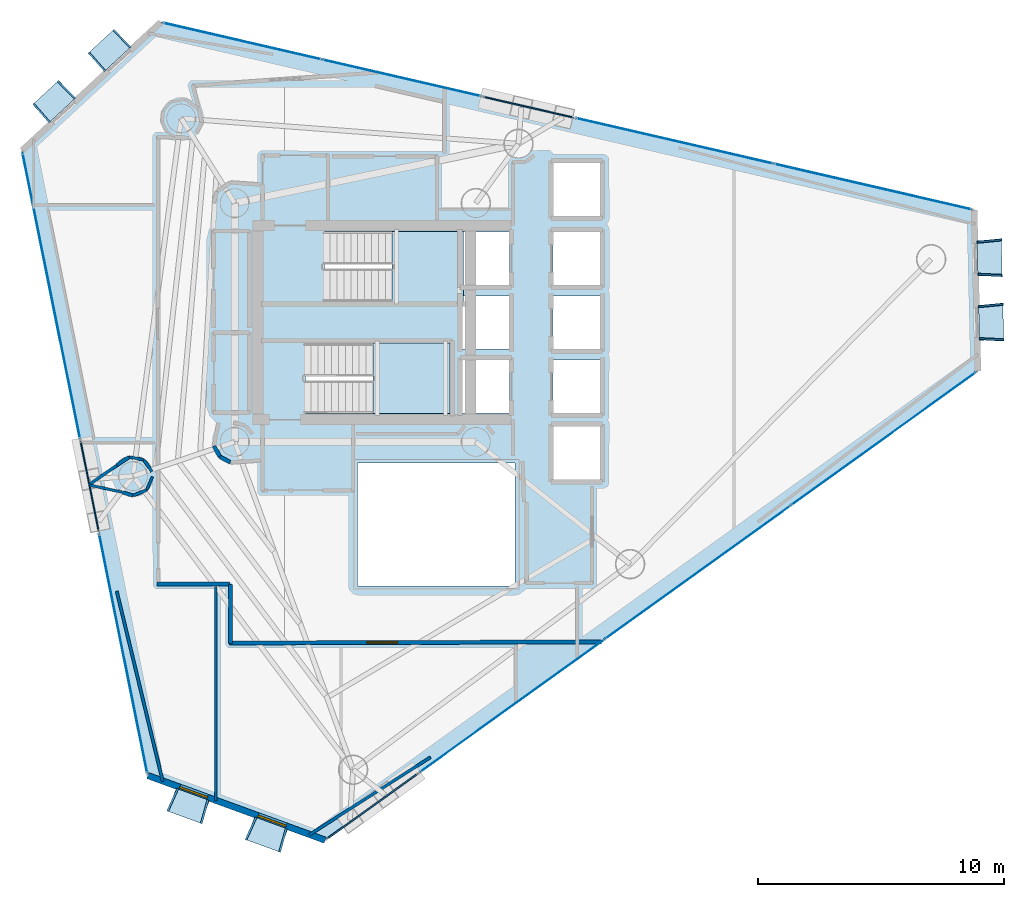
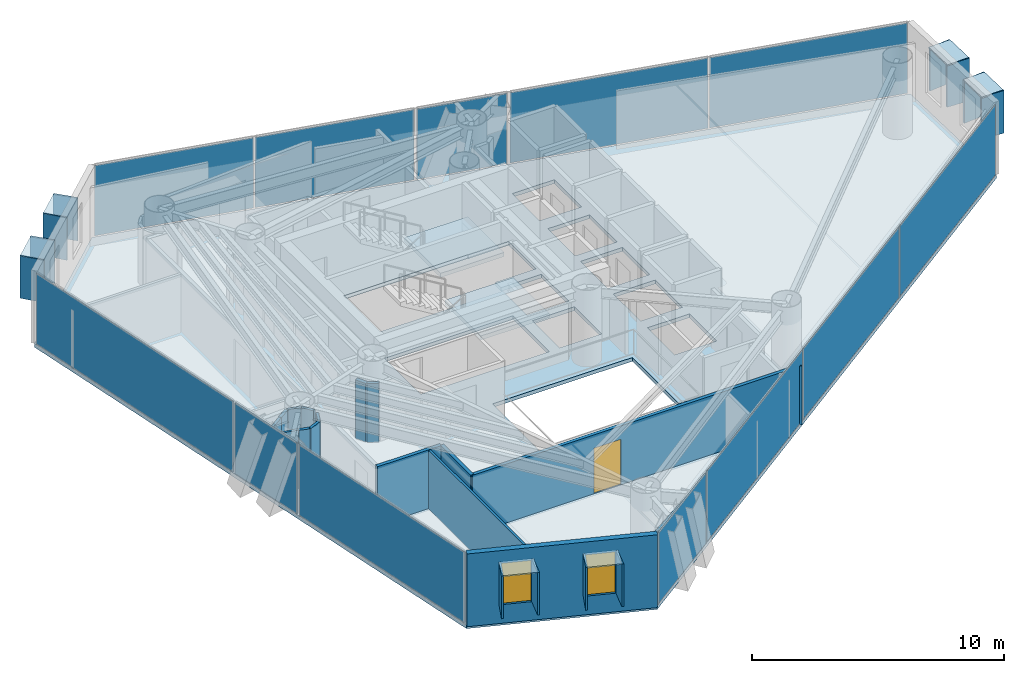
# One storey, part 16 of 22: 30 plates, 17 walls, 3 slabs, 2 windows, 1 door, 3 openings, 10 elements without a shape of their own.
"""IFC4 building model written with IfcOpenShell, lengths in metres."""

from ifc_helpers import new_model, si_unit, direction, frame, frame_2d, origin, origin_2d, place, context, subcontext, project, spatial, polyline, rectangle, outline, extrude, material, layer, layer_set, type_object, element, fill, aggregate, save


model = new_model("IFC4")

# Units and contexts
model_context = context("Model", 3, precision=1e-05, world=origin(), true_north=direction((0.0, 1.0)))
body_context = subcontext(model_context, "Body", "Model", "MODEL_VIEW")
ifc_project = project(units=[si_unit("LENGTHUNIT", "METRE"), si_unit("AREAUNIT", "SQUARE_METRE"), si_unit("VOLUMEUNIT", "CUBIC_METRE"), si_unit("PLANEANGLEUNIT", "RADIAN"), si_unit("MASSUNIT", "GRAM", prefix="KILO")], contexts=[model_context])

# Site, building, storey
site_placement = place(None, origin())
site = spatial("IfcSite", under=ifc_project, at=site_placement, CompositionType="ELEMENT")
building_placement = place(site_placement, origin())
building = spatial("IfcBuilding", under=site, at=building_placement, Name="Qianvela Tower", CompositionType="ELEMENT")
storey_placement = place(building_placement, frame((0.0, 0.0, 200.300048828125)))
storey = spatial("IfcBuildingStorey", under=building, at=storey_placement, Name="L51", CompositionType="ELEMENT", Elevation=200.300048828125)

# Curtain wall, plate
ifc_material_1 = material(Name="Anodised Architectural Aluminium and Insulated Spandrel Panel", Category="aluminium")
ifc_layer_1 = layer(ifc_material_1, 0.179931640625)
ifc_layer_set_1 = layer_set([ifc_layer_1], Name="Anodised Architectural Aluminium and Insulated Spandrel Panel")
curtain_wall_type_1 = type_object("IfcCurtainWallType", Name="CW-BRACEBAY", PredefinedType="USERDEFINED", material=ifc_layer_set_1)
curtain_wall_1_placement = place(storey_placement, origin())
curtain_wall_1 = element("IfcCurtainWall", 1, at=curtain_wall_1_placement, inside=storey, type_object=curtain_wall_type_1, Name="L51 CW-BRACEBAY Curtain Wall 02B", ObjectType="CURTAIN_WALL_SYSTEM", PredefinedType="USERDEFINED")
ifc_material_2 = material(Name="Insulated Aluminium Spandrel Panel with Mineral-Wool Backpan", Category="aluminium")
ifc_layer_2 = layer(ifc_material_2, 0.06005859375)
ifc_layer_set_2 = layer_set([ifc_layer_2], Name="Insulated Aluminium Spandrel Panel with Mineral-Wool Backpan")
plate_type_1 = type_object("IfcPlateType", Name="CW-BRACEBAY-PNL", PredefinedType="CURTAIN_PANEL", material=ifc_layer_set_2)
plate_1_placement = place(storey_placement, frame((40.53662109375, 37.44677734375, 0.06494140625), z_axis=(0.0, 0.0, 1.0), x_axis=(-0.974395125182, 0.22484247824, 0.0)))
plate_1 = element("IfcPlate", 2, at=plate_1_placement, type_object=plate_type_1, Name="CW-9 panel 1.1", PredefinedType="CURTAIN_PANEL", context=body_context, shape_type="SweptSolid", body=[
    extrude(rectangle(XDim=3.72998046875, YDim=0.06005859375, at=origin_2d()), origin(), (0.0, 0.0, 1.0), 3.389892578125),
])
aggregate(curtain_wall_1, [plate_1])

curtain_wall_2_placement = place(storey_placement, origin())
curtain_wall_2 = element("IfcCurtainWall", 3, at=curtain_wall_2_placement, inside=storey, type_object=curtain_wall_type_1, Name="L51 CW-BRACEBAY Curtain Wall 04B", ObjectType="CURTAIN_WALL_SYSTEM", PredefinedType="USERDEFINED")
plate_2_placement = place(storey_placement, frame((22.7109375, 22.0458984375, 0.06494140625), z_axis=(0.0, 0.0, 1.0), x_axis=(0.196985180883, -0.980406465968, 0.0)))
plate_2 = element("IfcPlate", 4, at=plate_2_placement, type_object=plate_type_1, Name="CW-9 panel 1.1", PredefinedType="CURTAIN_PANEL", context=body_context, shape_type="SweptSolid", body=[
    extrude(rectangle(XDim=3.719970703125, YDim=0.06005859375, at=origin_2d()), origin(), (0.0, 0.0, 1.0), 3.389892578125),
])
aggregate(curtain_wall_2, [plate_2])

curtain_wall_3_placement = place(storey_placement, origin())
curtain_wall_3 = element("IfcCurtainWall", 5, at=curtain_wall_3_placement, inside=storey, type_object=curtain_wall_type_1, Name="L51 CW-BRACEBAY Curtain Wall 06A", ObjectType="CURTAIN_WALL_SYSTEM", PredefinedType="USERDEFINED")
plate_3_placement = place(storey_placement, frame((34.205078125, 9.053466796875, 0.06494140625), z_axis=(0.0, 0.0, 1.0), x_axis=(0.81195549001, 0.583719352294, 0.0)))
plate_3 = element("IfcPlate", 6, at=plate_3_placement, type_object=plate_type_1, Name="CW-9 panel 1.1", PredefinedType="CURTAIN_PANEL", context=body_context, shape_type="SweptSolid", body=[
    extrude(rectangle(XDim=4.52001953125, YDim=0.06005859375, at=origin_2d()), origin(), (0.0, 0.0, 1.0), 3.389892578125),
])
aggregate(curtain_wall_3, [plate_3])

# Curtain wall, plates
ifc_material_3 = material(Name="Anodised Architectural Aluminium and Low-E Glass", Category="aluminium")
ifc_layer_3 = layer(ifc_material_3, 0.159912109375)
ifc_layer_set_3 = layer_set([ifc_layer_3], Name="Anodised Architectural Aluminium and Low-E Glass")
curtain_wall_type_2 = type_object("IfcCurtainWallType", Name="CW-COLIV-Z56", PredefinedType="USERDEFINED", material=ifc_layer_set_3)
curtain_wall_4_placement = place(storey_placement, origin())
curtain_wall_4 = element("IfcCurtainWall", 7, at=curtain_wall_4_placement, inside=storey, type_object=curtain_wall_type_2, Name="L51 CW-COLIV-Z56 Curtain Wall 02A", ObjectType="CURTAIN_WALL_SYSTEM", PredefinedType="USERDEFINED")
ifc_material_4 = material(Name="Double-Silver Low-E Insulated Glass", Category="glass")
ifc_layer_4 = layer(ifc_material_4, 0.028076171875)
ifc_layer_set_4 = layer_set([ifc_layer_4], Name="Double-Silver Low-E Insulated Glass")
plate_type_2 = type_object("IfcPlateType", Name="CW-COLIV-Z56-PNL", PredefinedType="CURTAIN_PANEL", material=ifc_layer_set_4)
plate_4_placement = place(storey_placement, frame((54.532470703125, 34.21728515625, 0.06005859375), z_axis=(0.0, 0.0, 1.0), x_axis=(-0.974397693189, 0.224831349031, 0.0)))
plate_4 = element("IfcPlate", 8, at=plate_4_placement, type_object=plate_type_2, Name="CW-5 panel 1.1", PredefinedType="CURTAIN_PANEL", context=body_context, shape_type="SweptSolid", body=[
    extrude(rectangle(XDim=8.202392578125, YDim=0.028076171875, at=origin_2d()), origin(), (0.0, 0.0, 1.0), 3.39990234375),
])
plate_5_placement = place(storey_placement, frame((46.4765625, 36.076171875, 0.06005859375), z_axis=(0.0, 0.0, 1.0), x_axis=(-0.974397693189, 0.224831349031, 0.0)))
plate_5 = element("IfcPlate", 9, at=plate_5_placement, type_object=plate_type_2, Name="CW-5 panel 2.1", PredefinedType="CURTAIN_PANEL", context=body_context, shape_type="SweptSolid", body=[
    extrude(rectangle(XDim=8.202392578125, YDim=0.028076171875, at=origin_2d()), origin(), (0.0, 0.0, 1.0), 3.39990234375),
])
aggregate(curtain_wall_4, [plate_4, plate_5])

curtain_wall_5_placement = place(storey_placement, origin())
curtain_wall_5 = element("IfcCurtainWall", 10, at=curtain_wall_5_placement, inside=storey, type_object=curtain_wall_type_2, Name="L51 CW-COLIV-Z56 Curtain Wall 02C", ObjectType="CURTAIN_WALL_SYSTEM", PredefinedType="USERDEFINED")
plate_6_placement = place(storey_placement, frame((35.388427734375, 38.634765625, 0.06005859375), z_axis=(0.0, 0.0, 1.0), x_axis=(-0.974397887425, 0.224830507229, 0.0)))
plate_6 = element("IfcPlate", 11, at=plate_6_placement, type_object=plate_type_2, Name="CW-5 panel 1.1", PredefinedType="CURTAIN_PANEL", context=body_context, shape_type="SweptSolid", body=[
    extrude(rectangle(XDim=6.576416015625, YDim=0.028076171875, at=origin_2d()), origin(), (0.0, 0.0, 1.0), 3.39990234375),
])
plate_7_placement = place(storey_placement, frame((28.917236328125, 40.1279296875, 0.06005859375), z_axis=(0.0, 0.0, 1.0), x_axis=(-0.974397887425, 0.224830507229, 0.0)))
plate_7 = element("IfcPlate", 12, at=plate_7_placement, type_object=plate_type_2, Name="CW-5 panel 2.1", PredefinedType="CURTAIN_PANEL", context=body_context, shape_type="SweptSolid", body=[
    extrude(rectangle(XDim=6.576416015625, YDim=0.028076171875, at=origin_2d()), origin(), (0.0, 0.0, 1.0), 3.39990234375),
])
aggregate(curtain_wall_5, [plate_6, plate_7])

# Curtain wall, plate
curtain_wall_6_placement = place(storey_placement, origin())
curtain_wall_6 = element("IfcCurtainWall", 13, at=curtain_wall_6_placement, inside=storey, type_object=curtain_wall_type_2, Name="L51 CW-COLIV-Z56 Curtain Wall 04A", ObjectType="CURTAIN_WALL_SYSTEM", PredefinedType="USERDEFINED")
plate_8_placement = place(storey_placement, frame((21.15576171875, 29.786376953125, 0.06005859375), z_axis=(0.0, 0.0, 1.0), x_axis=(0.196976127446, -0.980408284959, 0.0)))
plate_8 = element("IfcPlate", 14, at=plate_8_placement, type_object=plate_type_2, Name="CW-5 panel 1.1", PredefinedType="CURTAIN_PANEL", context=body_context, shape_type="SweptSolid", body=[
    extrude(rectangle(XDim=11.81005859375, YDim=0.028076171875, at=origin_2d()), origin(), (0.0, 0.0, 1.0), 3.39990234375),
])
aggregate(curtain_wall_6, [plate_8])

curtain_wall_7_placement = place(storey_placement, origin())
curtain_wall_7 = element("IfcCurtainWall", 15, at=curtain_wall_7_placement, inside=storey, type_object=curtain_wall_type_2, Name="L51 CW-COLIV-Z56 Curtain Wall 04C", ObjectType="CURTAIN_WALL_SYSTEM", PredefinedType="USERDEFINED")
plate_9_placement = place(storey_placement, frame((24.076416015625, 15.250244140625, 0.06005859375), z_axis=(0.0, 0.0, 1.0), x_axis=(0.196982232858, -0.980407058287, 0.0)))
plate_9 = element("IfcPlate", 16, at=plate_9_placement, type_object=plate_type_2, Name="CW-5 panel 1.1", PredefinedType="CURTAIN_PANEL", context=body_context, shape_type="SweptSolid", body=[
    extrude(rectangle(XDim=9.883056640625, YDim=0.028076171875, at=origin_2d()), origin(), (0.0, 0.0, 1.0), 3.39990234375),
])
aggregate(curtain_wall_7, [plate_9])

# Curtain wall, plates
curtain_wall_8_placement = place(storey_placement, origin())
curtain_wall_8 = element("IfcCurtainWall", 17, at=curtain_wall_8_placement, inside=storey, type_object=curtain_wall_type_2, Name="L51 CW-COLIV-Z56 Curtain Wall 06B", ObjectType="CURTAIN_WALL_SYSTEM", PredefinedType="USERDEFINED")
plate_10_placement = place(storey_placement, frame((39.882568359375, 13.135009765625, 0.06005859375), z_axis=(0.0, 0.0, 1.0), x_axis=(0.811952110369, 0.583724053357, 0.0)))
plate_10 = element("IfcPlate", 18, at=plate_10_placement, type_object=plate_type_2, Name="CW-5 panel 1.1", PredefinedType="CURTAIN_PANEL", context=body_context, shape_type="SweptSolid", body=[
    extrude(rectangle(XDim=9.205078125, YDim=0.028076171875, at=origin_2d()), origin(), (0.0, 0.0, 1.0), 3.39990234375),
])
plate_11_placement = place(storey_placement, frame((47.4228515625, 18.555908203125, 0.06005859375), z_axis=(0.0, 0.0, 1.0), x_axis=(0.811952110369, 0.583724053357, 0.0)))
plate_11 = element("IfcPlate", 19, at=plate_11_placement, type_object=plate_type_2, Name="CW-5 panel 2.1", PredefinedType="CURTAIN_PANEL", context=body_context, shape_type="SweptSolid", body=[
    extrude(rectangle(XDim=9.23779296875, YDim=0.028076171875, at=origin_2d()), origin(), (0.0, 0.0, 1.0), 3.39990234375),
])
plate_12_placement = place(storey_placement, frame((54.962890625, 23.9765625, 0.06005859375), z_axis=(0.0, 0.0, 1.0), x_axis=(0.811952110369, 0.583724053357, 0.0)))
plate_12 = element("IfcPlate", 20, at=plate_12_placement, type_object=plate_type_2, Name="CW-5 panel 3.1", PredefinedType="CURTAIN_PANEL", context=body_context, shape_type="SweptSolid", body=[
    extrude(rectangle(XDim=9.205078125, YDim=0.028076171875, at=origin_2d()), origin(), (0.0, 0.0, 1.0), 3.39990234375),
])
aggregate(curtain_wall_8, [plate_10, plate_11, plate_12])

# Slab
ifc_material_5 = material(Name="Concrete C40", Category="concrete")
ifc_layer_5 = layer(ifc_material_5, 0.179931640625)
ifc_layer_set_5 = layer_set([ifc_layer_5], Name="Concrete C40")
slab_type_1 = type_object("IfcSlabType", Name="SL-FLOOR-180", PredefinedType="FLOOR", material=ifc_layer_set_5)
slab_1_placement = place(storey_placement, frame((0.0, 0.0, -0.179931640625)))
element("IfcSlab", 21, at=slab_1_placement, inside=storey, type_object=slab_type_1, Name="L51 Composite Structural Floor Slab", PredefinedType="FLOOR", context=body_context, shape_type="SweptSolid", body=[
    extrude(outline(polyline([(58.79345703125, 26.730224609375), (58.640869140625, 33.26953125), (25.60107421875, 40.89306640625), (19.969970703125, 35.6884765625), (25.072265625, 10.292724609375), (32.276611328125, 7.6669921875), (58.79345703125, 26.730224609375)]), holes=[polyline([(40.0, 23.0), (33.60009765625, 23.0), (33.60009765625, 18.0), (40.0, 18.0), (40.0, 23.0)]), polyline([(39.760009765625, 27.179931640625), (37.840087890625, 27.179931640625), (37.840087890625, 25.02001953125), (39.760009765625, 25.02001953125), (39.760009765625, 27.179931640625)]), polyline([(37.35009765625, 27.860107421875), (31.469970703125, 27.860107421875), (31.469970703125, 25.0), (37.35009765625, 25.0), (37.35009765625, 27.860107421875)]), polyline([(37.840087890625, 27.6201171875), (39.760009765625, 27.6201171875), (39.760009765625, 29.780029296875), (37.89990234375, 29.780029296875), (37.89990234375, 30.219970703125), (39.760009765625, 30.219970703125), (39.760009765625, 32.3798828125), (37.89990234375, 32.3798828125), (37.89990234375, 32.39990234375), (32.25, 32.39990234375), (32.25, 29.5400390625), (37.840087890625, 29.5400390625), (37.840087890625, 27.6201171875)]), polyline([(43.4599609375, 22.320068359375), (43.4599609375, 24.47998046875), (41.5400390625, 24.47998046875), (41.5400390625, 22.320068359375), (43.4599609375, 22.320068359375)]), polyline([(43.4599609375, 25.02001953125), (43.4599609375, 27.179931640625), (41.5400390625, 27.179931640625), (41.5400390625, 25.02001953125), (43.4599609375, 25.02001953125)]), polyline([(43.4599609375, 29.780029296875), (41.5400390625, 29.780029296875), (41.5400390625, 27.6201171875), (43.4599609375, 27.6201171875), (43.4599609375, 29.780029296875)]), polyline([(43.4599609375, 30.219970703125), (43.4599609375, 32.3798828125), (41.5400390625, 32.3798828125), (41.5400390625, 30.219970703125), (43.4599609375, 30.219970703125)]), polyline([(43.4599609375, 33.02001953125), (43.4599609375, 35.179931640625), (41.5400390625, 35.179931640625), (41.5400390625, 33.02001953125), (43.4599609375, 33.02001953125)])]), origin(), (0.0, 0.0, 1.0), 0.179931640625),
])

# Stair, slab
ifc_material_6 = material(Name="Concrete C40", Category="concrete")
stair_type = type_object("IfcStairType", Name="ST-DOGLEG-1350-R168-N22", PredefinedType="HALF_TURN_STAIR", material=ifc_material_6)
stair_1_placement = place(storey_placement, origin())
stair_1 = element("IfcStair", 22, at=stair_1_placement, inside=storey, type_object=stair_type, Name="L51 Smoke-Proof Core Stair ST-1", PredefinedType="HALF_TURN_STAIR")
ifc_material_7 = material(Name="Concrete C40", Category="concrete")
ifc_layer_6 = layer(ifc_material_7, 0.199951171875)
ifc_layer_set_6 = layer_set([ifc_layer_6], Name="Concrete C40")
slab_type_2 = type_object("IfcSlabType", Name="SL-STAIR-LANDING-200", PredefinedType="LANDING", material=ifc_layer_set_6)
slab_2_placement = place(storey_placement, frame((0.0, 0.0, 1.64990234375)))
slab_2 = element("IfcSlab", 23, at=slab_2_placement, type_object=slab_type_2, Name="ST-1 landing 1", PredefinedType="LANDING", context=body_context, shape_type="SweptSolid", body=[
    extrude(outline(polyline([(35.0, 29.5400390625), (37.89990234375, 29.5400390625), (37.89990234375, 32.39990234375), (35.0, 32.39990234375), (35.0, 29.5400390625)])), origin(), (0.0, 0.0, 1.0), 0.199951171875),
])
aggregate(stair_1, [slab_2])

stair_2_placement = place(storey_placement, origin())
stair_2 = element("IfcStair", 24, at=stair_2_placement, inside=storey, type_object=stair_type, Name="L51 Smoke-Proof Core Stair ST-2", PredefinedType="HALF_TURN_STAIR")
slab_3_placement = place(storey_placement, frame((0.0, 0.0, 1.64990234375)))
slab_3 = element("IfcSlab", 25, at=slab_3_placement, type_object=slab_type_2, Name="ST-2 landing 1", PredefinedType="LANDING", context=body_context, shape_type="SweptSolid", body=[
    extrude(outline(polyline([(34.219970703125, 25.0), (37.35009765625, 25.0), (37.35009765625, 27.860107421875), (34.219970703125, 27.860107421875), (34.219970703125, 25.0)])), origin(), (0.0, 0.0, 1.0), 0.199951171875),
])
aggregate(stair_2, [slab_3])

# Plates
ifc_material_8 = material(Name="Vitrified Architectural Terracotta Panel", Category="masonry")
ifc_layer_7 = layer(ifc_material_8, 0.06494140625)
ifc_layer_set_7 = layer_set([ifc_layer_7], Name="Vitrified Architectural Terracotta Panel")
plate_type_3 = type_object("IfcPlateType", Name="TERRACOTTA-SUNSHADE-HOOD-FOLD-B", PredefinedType="USERDEFINED", material=ifc_layer_set_7)
for number, where, z_axis, x_axis, name in (
    (26, (23.5146484375, 39.76123046875, 2.909912109375), (0.0, 0.0, 1.0), (-0.734369896878, -0.678749478497, 0.0), "L51 Terracotta Sunshade Hood FOLD-B"),
    (27, (21.26220703125, 37.679443359375, 2.909912109375), (0.0, 0.0, 1.0), (-0.734369896878, -0.678749478497, 0.0), "L51 Terracotta Sunshade Hood FOLD-B"),
):
    element("IfcPlate", number, at=place(storey_placement, frame(where, z_axis=z_axis, x_axis=x_axis)), inside=storey, type_object=plate_type_3, Name=name, ObjectType="SUNSHADE", PredefinedType="USERDEFINED", context=body_context, shape_type="SweptSolid", body=[
        extrude(rectangle(XDim=1.43994140625, YDim=0.989990234375, at=origin_2d()), origin(), (0.0, 0.0, 1.0), 0.06005859375),
    ])
ifc_material_9 = material(Name="Vitrified Architectural Terracotta Panel", Category="masonry")
ifc_layer_8 = layer(ifc_material_9, 0.074951171875)
ifc_layer_set_8 = layer_set([ifc_layer_8], Name="Vitrified Architectural Terracotta Panel")
plate_type_4 = type_object("IfcPlateType", Name="TERRACOTTA-SUNSHADE-HOOD-FOLD-D", PredefinedType="USERDEFINED", material=ifc_layer_set_8)
for number, where, z_axis, x_axis, name in (
    (28, (59.33251953125, 28.705810546875, 2.909912109375), (0.0, 0.0, 1.0), (-0.023329444697, 0.999727831467, 0.0), "L51 Terracotta Sunshade Hood FOLD-D"),
    (29, (59.271484375, 31.3212890625, 2.909912109375), (0.0, 0.0, 1.0), (-0.023329444697, 0.999727831467, 0.0), "L51 Terracotta Sunshade Hood FOLD-D"),
    (30, (26.732666015625, 9.06494140625, 2.909912109375), (0.0, 0.0, 1.0), (0.939539710927, -0.342439967865, 0.0), "L51 Terracotta Sunshade Hood FOLD-D"),
    (31, (29.9150390625, 7.905029296875, 2.909912109375), (0.0, 0.0, 1.0), (0.939539710927, -0.342439967865, 0.0), "L51 Terracotta Sunshade Hood FOLD-D"),
):
    element("IfcPlate", number, at=place(storey_placement, frame(where, z_axis=z_axis, x_axis=x_axis)), inside=storey, type_object=plate_type_4, Name=name, ObjectType="SUNSHADE", PredefinedType="USERDEFINED", context=body_context, shape_type="SweptSolid", body=[
        extrude(rectangle(XDim=1.43994140625, YDim=0.989990234375, at=origin_2d()), origin(), (0.0, 0.0, 1.0), 0.06005859375),
    ])
ifc_material_10 = material(Name="Vitrified Architectural Terracotta Side Fin Panel", Category="masonry")
ifc_layer_9 = layer(ifc_material_10, 0.070068359375)
ifc_layer_set_9 = layer_set([ifc_layer_9], Name="Vitrified Architectural Terracotta Side Fin Panel")
plate_type_5 = type_object("IfcPlateType", Name="TERRACOTTA-SUNSHADE-STRUT-FOLD-B", PredefinedType="USERDEFINED", material=ifc_layer_set_9)
for number, where, z_axis, x_axis, name in (
    (32, (24.021484375, 40.2294921875, 0.89990234375), (0.0, 0.0, 1.0), (-0.713299380114, -0.700859468317, 0.0), "L51 Terracotta Sunshade Side Fin HL FOLD-B"),
    (33, (23.008056640625, 39.29296875, 0.89990234375), (0.0, 0.0, 1.0), (-0.754755379944, -0.656006338723, 0.0), "L51 Terracotta Sunshade Side Fin HR FOLD-B"),
    (34, (21.76904296875, 38.147705078125, 0.89990234375), (0.0, 0.0, 1.0), (-0.713299380114, -0.700859468317, 0.0), "L51 Terracotta Sunshade Side Fin HL FOLD-B"),
    (35, (20.755615234375, 37.2109375, 0.89990234375), (0.0, 0.0, 1.0), (-0.754755379944, -0.656006338723, 0.0), "L51 Terracotta Sunshade Side Fin HR FOLD-B"),
):
    element("IfcPlate", number, at=place(storey_placement, frame(where, z_axis=z_axis, x_axis=x_axis)), inside=storey, type_object=plate_type_5, Name=name, ObjectType="SUNSHADE", PredefinedType="USERDEFINED", context=body_context, shape_type="SweptSolid", body=[
        extrude(rectangle(XDim=0.070068359375, YDim=1.010009765625, at=origin_2d()), origin(), (0.0, 0.0, 1.0), 2.06005859375),
    ])
ifc_material_11 = material(Name="Vitrified Architectural Terracotta Side Fin Panel", Category="masonry")
ifc_layer_10 = layer(ifc_material_11, 0.080078125)
ifc_layer_set_10 = layer_set([ifc_layer_10], Name="Vitrified Architectural Terracotta Side Fin Panel")
plate_type_6 = type_object("IfcPlateType", Name="TERRACOTTA-SUNSHADE-STRUT-FOLD-D", PredefinedType="USERDEFINED", material=ifc_layer_set_10)
for number, where, z_axis, x_axis, name in (
    (36, (59.3486328125, 28.015869140625, 0.89990234375), (0.0, 0.0, 1.0), (0.050823027154, 0.998707674903, 0.0), "L51 Terracotta Sunshade Side Fin HL FOLD-D"),
    (37, (59.31640625, 29.3955078125, 0.89990234375), (0.0, 0.0, 1.0), (-0.097353613238, 0.995249855056, 0.0), "L51 Terracotta Sunshade Side Fin HR FOLD-D"),
    (38, (59.28759765625, 30.631591796875, 0.89990234375), (0.0, 0.0, 1.0), (0.050823027154, 0.998707674903, 0.0), "L51 Terracotta Sunshade Side Fin HL FOLD-D"),
    (39, (59.25537109375, 32.01123046875, 0.89990234375), (0.0, 0.0, 1.0), (-0.097353613238, 0.995249855056, 0.0), "L51 Terracotta Sunshade Side Fin HR FOLD-D"),
    (40, (26.084228515625, 9.30126953125, 0.89990234375), (0.0, 0.0, 1.0), (0.911578441629, -0.411126190794, 0.0), "L51 Terracotta Sunshade Side Fin HL FOLD-D"),
    (41, (27.380859375, 8.82861328125, 0.89990234375), (0.0, 0.0, 1.0), (0.962333859631, -0.271870451884, 0.0), "L51 Terracotta Sunshade Side Fin HR FOLD-D"),
    (42, (29.2666015625, 8.141357421875, 0.89990234375), (0.0, 0.0, 1.0), (0.911578441629, -0.411126190794, 0.0), "L51 Terracotta Sunshade Side Fin HL FOLD-D"),
    (43, (30.563232421875, 7.668701171875, 0.89990234375), (0.0, 0.0, 1.0), (0.962333859631, -0.271870451884, 0.0), "L51 Terracotta Sunshade Side Fin HR FOLD-D"),
):
    element("IfcPlate", number, at=place(storey_placement, frame(where, z_axis=z_axis, x_axis=x_axis)), inside=storey, type_object=plate_type_6, Name=name, ObjectType="SUNSHADE", PredefinedType="USERDEFINED", context=body_context, shape_type="SweptSolid", body=[
        extrude(rectangle(XDim=0.080078125, YDim=1.010009765625, at=origin_2d()), origin(), (0.0, 0.0, 1.0), 2.06005859375),
    ])

# Wall, openings, windows
ifc_material_12 = material(Name="Terracotta Cladding on Concrete C40", Category="masonry")
ifc_layer_11 = layer(ifc_material_12, 0.260009765625)
ifc_layer_set_11 = layer_set([ifc_layer_11], Name="Terracotta Cladding on Concrete C40")
wall_type_1 = type_object("IfcWallType", Name="TERRACOTTA-WALL-260", PredefinedType="SOLIDWALL", material=ifc_layer_set_11)
wall_1_placement = place(storey_placement, frame((25.072265625, 10.292724609375, 0.0), z_axis=(0.0, 0.0, 1.0), x_axis=(0.939543106306, -0.342430651948, 0.0)))
wall_1 = element("IfcWall", 44, at=wall_1_placement, inside=storey, type_object=wall_type_1, Name="L51 Terracotta Chamfer Facet Wall 5", PredefinedType="SOLIDWALL", context=body_context, shape_type="SweptSolid", body=[
    extrude(rectangle(XDim=7.66796875, YDim=0.260009765625, at=frame_2d((3.833984375, 0.0))), origin(), (0.0, 0.0, 1.0), 3.52001953125),
])
opening_1_placement = place(wall_1_placement, frame((1.38037109375, 0.0, 0.89990234375)))
opening_1 = element("IfcOpeningElement", 45, at=opening_1_placement, cuts=wall_1, Name="Opening W-03", PredefinedType="OPENING", context=body_context, shape_type="SweptSolid", body=[
    extrude(rectangle(XDim=1.199951171875, YDim=2.0, at=frame_2d((0.60009765625, 1.0))), frame((0.0, 0.139892578125, 0.0), z_axis=(0.0, -1.0, 0.0), x_axis=(1.0, 0.0, 0.0)), (0.0, 0.0, 1.0), 0.280029296875),
])
opening_2_placement = place(wall_1_placement, frame((4.767578125, 0.0, 0.89990234375)))
opening_2 = element("IfcOpeningElement", 46, at=opening_2_placement, cuts=wall_1, Name="Opening W-03", PredefinedType="OPENING", context=body_context, shape_type="SweptSolid", body=[
    extrude(rectangle(XDim=1.199951171875, YDim=2.0, at=frame_2d((0.60009765625, 1.0))), frame((0.0, 0.139892578125, 0.0), z_axis=(0.0, -1.0, 0.0), x_axis=(1.0, 0.0, 0.0)), (0.0, 0.0, 1.0), 0.280029296875),
])
ifc_material_13 = material(Name="Thermally Broken Aluminium and Low-E Glass", Category="aluminium")
window_type = type_object("IfcWindowType", Name="WIN-TC-1200x2000", PartitioningType="SINGLE_PANEL", PredefinedType="WINDOW", material=ifc_material_13)
window_1_placement = place(opening_1_placement, origin())
window_1 = element("IfcWindow", 47, at=window_1_placement, inside=storey, type_object=window_type, Name="L51 Chamfer Facet Window 5.1", OverallHeight=2.0, OverallWidth=1.199951171875, PartitioningType="SINGLE_PANEL", PredefinedType="WINDOW", context=body_context, shape_type="SweptSolid", body=[
    extrude(rectangle(XDim=1.199951171875, YDim=2.0, at=frame_2d((0.60009765625, 1.0))), frame((0.0, 0.030029296875, 0.0), z_axis=(0.0, -1.0, 0.0), x_axis=(1.0, 0.0, 0.0)), (0.0, 0.0, 1.0), 0.06005859375),
])
fill(opening_1, window_1)
window_2_placement = place(opening_2_placement, origin())
window_2 = element("IfcWindow", 48, at=window_2_placement, inside=storey, type_object=window_type, Name="L51 Chamfer Facet Window 5.2", OverallHeight=2.0, OverallWidth=1.199951171875, PartitioningType="SINGLE_PANEL", PredefinedType="WINDOW", context=body_context, shape_type="SweptSolid", body=[
    extrude(rectangle(XDim=1.199951171875, YDim=2.0, at=frame_2d((0.60009765625, 1.0))), frame((0.0, 0.030029296875, 0.0), z_axis=(0.0, -1.0, 0.0), x_axis=(1.0, 0.0, 0.0)), (0.0, 0.0, 1.0), 0.06005859375),
])
fill(opening_2, window_2)

# Walls
ifc_material_14 = material(Name="Fire-Rated Gypsum and Concrete Block", Category="concrete")
ifc_layer_12 = layer(ifc_material_14, 0.159912109375)
ifc_layer_set_12 = layer_set([ifc_layer_12], Name="Fire-Rated Gypsum and Concrete Block")
wall_type_2 = type_object("IfcWallType", Name="WT-CORR-160", PredefinedType="PARTITIONING", material=ifc_layer_set_12)
for number, where, z_axis, x_axis, name in (
    (49, (27.768310546875, 23.67529296875, 0.0), (0.0, 0.0, 1.0), (0.471865548338, -0.881670519123, 0.0), "L51 Partition 63"),
    (50, (28.005615234375, 23.242919921875, 0.0), (0.0, 0.0, 1.0), (0.881670519123, -0.471865548338, 0.0), "L51 Partition 64"),
):
    element("IfcWall", number, at=place(storey_placement, frame(where, z_axis=z_axis, x_axis=x_axis)), inside=storey, type_object=wall_type_2, Name=name, PredefinedType="PARTITIONING", context=body_context, shape_type="SweptSolid", body=[
        extrude(rectangle(XDim=0.47607421875, YDim=0.159912109375, at=frame_2d((0.238037109375, 0.0))), origin(), (0.0, 0.0, 1.0), 2.83984375),
    ])

# Wall, opening, door
wall_2_placement = place(storey_placement, frame((43.5078125, 15.72705078125, 0.0), z_axis=(0.0, 0.0, 1.0), x_axis=(-0.999995335964, -0.003054185684, 0.0)))
wall_2 = element("IfcWall", 51, at=wall_2_placement, inside=storey, type_object=wall_type_2, Name="L51 Partition 70", PredefinedType="PARTITIONING", context=body_context, shape_type="SweptSolid", body=[
    extrude(rectangle(XDim=15.10791015625, YDim=0.159912109375, at=frame_2d((7.553955078125, 0.0))), origin(), (0.0, 0.0, 1.0), 2.83984375),
])
opening_3_placement = place(wall_2_placement, frame((8.28662109375, 0.0, 0.0)))
opening_3 = element("IfcOpeningElement", 52, at=opening_3_placement, cuts=wall_2, Name="Opening D-LG1", PredefinedType="OPENING", context=body_context, shape_type="SweptSolid", body=[
    extrude(rectangle(XDim=1.25, YDim=2.199951171875, at=frame_2d((0.625, 1.10009765625))), frame((0.0, 0.08984375, 0.0), z_axis=(0.0, -1.0, 0.0), x_axis=(1.0, 0.0, 0.0)), (0.0, 0.0, 1.0), 0.179931640625),
])
ifc_material_15 = material(Name="Anodised Aluminium Acoustic Glass Door", Category="aluminium")
door_type = type_object("IfcDoorType", Name="DT-LOUNGE-1250", OperationType="NOTDEFINED", PredefinedType="DOOR", material=ifc_material_15)
door_placement = place(opening_3_placement, origin())
door = element("IfcDoor", 53, at=door_placement, inside=storey, type_object=door_type, Name="L51 Door Panoramic Study Lounge L51-05 to L51 Floor Corridor", OperationType="SINGLE_SWING_RIGHT", OverallHeight=2.199951171875, OverallWidth=1.25, PredefinedType="DOOR", context=body_context, shape_type="SweptSolid", body=[
    extrude(rectangle(XDim=1.25, YDim=2.199951171875, at=frame_2d((0.625, 1.10009765625))), frame((0.0, 0.02490234375, 0.0), z_axis=(0.0, -1.0, 0.0), x_axis=(1.0, 0.0, 0.0)), (0.0, 0.0, 1.0), 0.050048828125),
])
fill(opening_3, door)

# Walls
wall_3_placement = place(storey_placement, frame((28.430908203125, 15.64990234375, 0.0), z_axis=(0.0, 0.0, 1.0), x_axis=(0.0, 1.0, 0.0)))
element("IfcWall", 54, at=wall_3_placement, inside=storey, type_object=wall_type_2, Name="L51 Partition 71", PredefinedType="PARTITIONING", context=body_context, shape_type="SweptSolid", body=[
    extrude(rectangle(XDim=2.400146484375, YDim=0.159912109375, at=frame_2d((1.2001953125, 0.0))), origin(), (0.0, 0.0, 1.0), 2.83984375),
])
wall_4_placement = place(storey_placement, frame((28.39990234375, 18.0810546875, 0.0), z_axis=(0.0, 0.0, 1.0), x_axis=(-1.0, 0.0, 0.0)))
element("IfcWall", 55, at=wall_4_placement, inside=storey, type_object=wall_type_2, Name="L51 Partition 72", PredefinedType="PARTITIONING", context=body_context, shape_type="SweptSolid", body=[
    extrude(rectangle(XDim=2.949951171875, YDim=0.159912109375, at=frame_2d((1.47509765625, 0.0))), origin(), (0.0, 0.0, 1.0), 2.83984375),
])
ifc_material_16 = material(Name="Lightweight Gypsum Room Partition")
ifc_layer_13 = layer(ifc_material_16, 0.10498046875)
ifc_layer_set_13 = layer_set([ifc_layer_13], Name="Lightweight Gypsum Room Partition")
wall_type_3 = type_object("IfcWallType", Name="WT-PART-105", PredefinedType="PARTITIONING", material=ifc_layer_set_13)
wall_5_placement = place(storey_placement, frame((24.900390625, 23.122314453125, 0.0), z_axis=(0.0, 0.0, 1.0), x_axis=(-0.980773892286, 0.195147565217, 0.0)))
element("IfcWall", 56, at=wall_5_placement, inside=storey, type_object=wall_type_3, Name="L51 Partition 77", PredefinedType="PARTITIONING", context=body_context, shape_type="SweptSolid", body=[
    extrude(rectangle(XDim=0.581787109375, YDim=0.10498046875, at=frame_2d((0.291015625, 0.0))), origin(), (0.0, 0.0, 1.0), 2.83984375),
])
wall_6_placement = place(storey_placement, frame((22.701416015625, 22.09375, 0.0), z_axis=(0.0, 0.0, 1.0), x_axis=(0.977868408838, -0.209220876102, 0.0)))
element("IfcWall", 57, at=wall_6_placement, inside=storey, type_object=wall_type_3, Name="L51 Partition 80", PredefinedType="PARTITIONING", context=body_context, shape_type="SweptSolid", body=[
    extrude(rectangle(XDim=1.3525390625, YDim=0.10498046875, at=frame_2d((0.67626953125, 0.0))), origin(), (0.0, 0.0, 1.0), 2.83984375),
])
wall_7_placement = place(storey_placement, frame((25.0380859375, 21.910400390625, 0.0), z_axis=(0.0, 0.0, 1.0), x_axis=(0.389093528864, 0.921198255424, 0.0)))
element("IfcWall", 58, at=wall_7_placement, inside=storey, type_object=wall_type_3, Name="L51 Partition 83", PredefinedType="PARTITIONING", context=body_context, shape_type="SweptSolid", body=[
    extrude(rectangle(XDim=0.568359375, YDim=0.10498046875, at=frame_2d((0.2841796875, 0.0))), origin(), (0.0, 0.0, 1.0), 2.83984375),
])
wall_8_placement = place(storey_placement, frame((27.826904296875, 17.969970703125, 0.0), z_axis=(0.0, 0.0, 1.0), x_axis=(0.0, -1.0, 0.0)))
element("IfcWall", 59, at=wall_8_placement, inside=storey, type_object=wall_type_3, Name="L51 Partition 86", PredefinedType="PARTITIONING", context=body_context, shape_type="SweptSolid", body=[
    extrude(rectangle(XDim=8.701171875, YDim=0.10498046875, at=frame_2d((4.3505859375, 0.0))), origin(), (0.0, 0.0, 1.0), 2.83984375),
])
ifc_material_17 = material(Name="Insulated Gypsum Stud Partition")
ifc_layer_14 = layer(ifc_material_17, 0.1201171875)
ifc_layer_set_14 = layer_set([ifc_layer_14], Name="Insulated Gypsum Stud Partition")
wall_type_4 = type_object("IfcWallType", Name="WT-PART-120", PredefinedType="PARTITIONING", material=ifc_layer_set_14)
wall_9_placement = place(storey_placement, frame((25.237548828125, 22.6435546875, 0.0), z_axis=(0.0, 0.0, 1.0), x_axis=(-0.563363697458, 0.826209019792, 0.0)))
element("IfcWall", 60, at=wall_9_placement, inside=storey, type_object=wall_type_4, Name="L51 Partition 76", PredefinedType="PARTITIONING", context=body_context, shape_type="SweptSolid", body=[
    extrude(rectangle(XDim=0.563720703125, YDim=0.1201171875, at=frame_2d((0.28173828125, 0.0))), origin(), (0.0, 0.0, 1.0), 2.83984375),
])
wall_10_placement = place(storey_placement, frame((23.809814453125, 22.88818359375, 0.0), z_axis=(0.0, 0.0, 1.0), x_axis=(-0.821958461882, -0.569547440466, 0.0)))
element("IfcWall", 61, at=wall_10_placement, inside=storey, type_object=wall_type_4, Name="L51 Partition 79 seg 1", PredefinedType="PARTITIONING", context=body_context, shape_type="SweptSolid", body=[
    extrude(rectangle(XDim=1.354248046875, YDim=0.1201171875, at=frame_2d((0.67724609375, 0.0))), origin(), (0.0, 0.0, 1.0), 2.83984375),
])
wall_11_placement = place(storey_placement, frame((24.48388671875, 21.67138671875, 0.0), z_axis=(0.0, 0.0, 1.0), x_axis=(0.923832639322, 0.382796622927, 0.0)))
element("IfcWall", 62, at=wall_11_placement, inside=storey, type_object=wall_type_4, Name="L51 Partition 82", PredefinedType="PARTITIONING", context=body_context, shape_type="SweptSolid", body=[
    extrude(rectangle(XDim=0.58154296875, YDim=0.1201171875, at=frame_2d((0.290771484375, 0.0))), origin(), (0.0, 0.0, 1.0), 2.83984375),
])
wall_12_placement = place(storey_placement, frame((25.6826171875, 10.05224609375, 0.0), z_axis=(0.0, 0.0, 1.0), x_axis=(-0.23515832832, 0.971957077561, 0.0)))
element("IfcWall", 63, at=wall_12_placement, inside=storey, type_object=wall_type_4, Name="L51 Partition 88 seg 1", PredefinedType="PARTITIONING", context=body_context, shape_type="SweptSolid", body=[
    extrude(rectangle(XDim=7.957763671875, YDim=0.1201171875, at=frame_2d((3.97900390625, 0.0))), origin(), (0.0, 0.0, 1.0), 2.83984375),
])
wall_13_placement = place(storey_placement, frame((36.56005859375, 11.0419921875, 0.0), z_axis=(0.0, 0.0, 1.0), x_axis=(-0.841821781246, -0.539755582296, 0.0)))
element("IfcWall", 64, at=wall_13_placement, inside=storey, type_object=wall_type_4, Name="L51 Partition 130 seg 1", PredefinedType="PARTITIONING", context=body_context, shape_type="SweptSolid", body=[
    extrude(rectangle(XDim=5.8515625, YDim=0.1201171875, at=frame_2d((2.92578125, 0.0))), origin(), (0.0, 0.0, 1.0), 2.83984375),
])
ifc_material_18 = material(Name="Acoustic Double Gypsum Stud Partition")
ifc_layer_15 = layer(ifc_material_18, 0.139892578125)
ifc_layer_set_15 = layer_set([ifc_layer_15], Name="Acoustic Double Gypsum Stud Partition")
wall_type_5 = type_object("IfcWallType", Name="WT-ROOM-140", PredefinedType="PARTITIONING", material=ifc_layer_set_15)
wall_14_placement = place(storey_placement, frame((24.306396484375, 23.231201171875, 0.0), z_axis=(0.0, 0.0, 1.0), x_axis=(-0.831274401047, -0.555862276256, 0.0)))
element("IfcWall", 65, at=wall_14_placement, inside=storey, type_object=wall_type_5, Name="L51 Partition 78", PredefinedType="PARTITIONING", context=body_context, shape_type="SweptSolid", body=[
    extrude(rectangle(XDim=0.58154296875, YDim=0.139892578125, at=frame_2d((0.290771484375, 0.0))), origin(), (0.0, 0.0, 1.0), 2.83984375),
])
wall_15_placement = place(storey_placement, frame((24.040771484375, 21.79833984375, 0.0), z_axis=(0.0, 0.0, 1.0), x_axis=(0.957015093463, -0.290038119708, 0.0)))
element("IfcWall", 66, at=wall_15_placement, inside=storey, type_object=wall_type_5, Name="L51 Partition 81 seg 1", PredefinedType="PARTITIONING", context=body_context, shape_type="SweptSolid", body=[
    extrude(rectangle(XDim=0.441162109375, YDim=0.139892578125, at=frame_2d((0.220703125, 0.0))), origin(), (0.0, 0.0, 1.0), 2.83984375),
])

save(model, "model.ifc")
